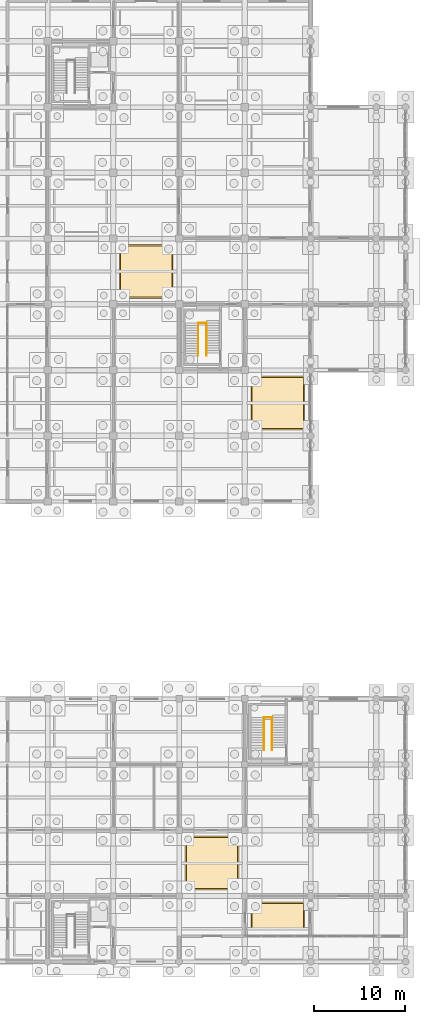
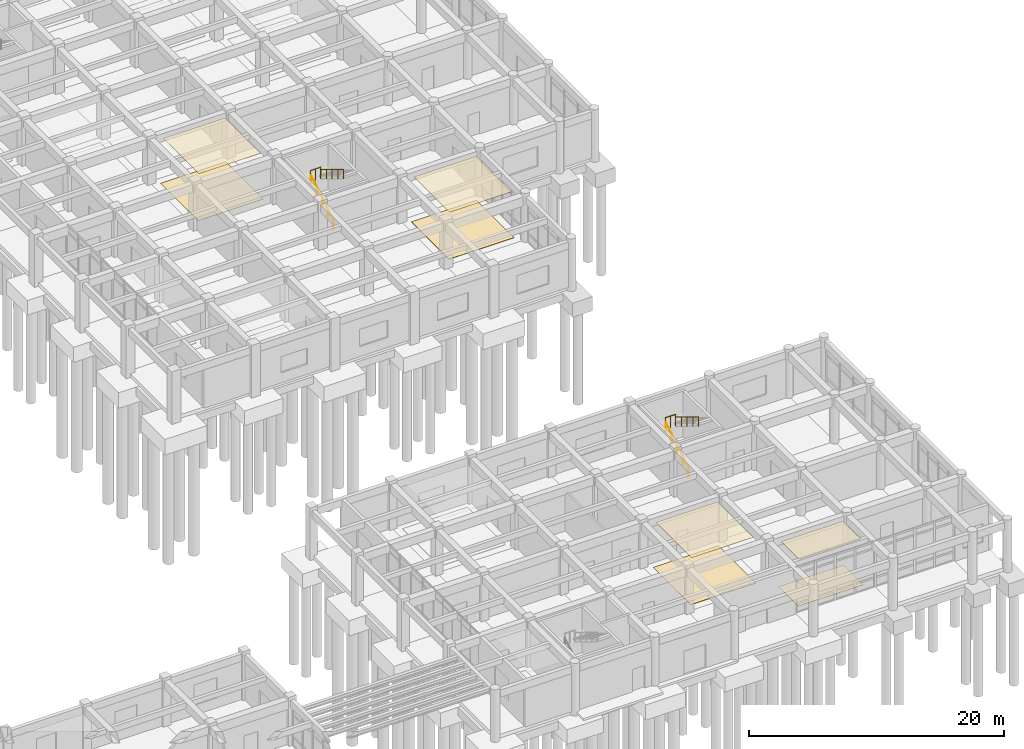
# One storey, part 77 of 79: 8 coverings, 6 railings.
"""IFC4 building model written with IfcOpenShell, lengths in metres."""

from ifc_helpers import new_model, si_unit, direction, frame, origin, origin_2d, place, context, subcontext, project, spatial, polyline, circle, outline, extrude, material, layer, layer_set, type_object, element, save


model = new_model("IFC4")

# Units and contexts
model_context = context("Model", 3, precision=1e-05, world=origin(), true_north=direction((0.0, 1.0)))
body_context = subcontext(model_context, "Body", "Model", "MODEL_VIEW")
ifc_project = project(units=[si_unit("LENGTHUNIT", "METRE"), si_unit("AREAUNIT", "SQUARE_METRE"), si_unit("VOLUMEUNIT", "CUBIC_METRE"), si_unit("PLANEANGLEUNIT", "RADIAN"), si_unit("MASSUNIT", "GRAM", prefix="KILO")], contexts=[model_context])

# Site, building, storey
site_placement = place(None, origin())
site = spatial("IfcSite", under=ifc_project, at=site_placement, CompositionType="ELEMENT")
building_placement = place(site_placement, origin())
building = spatial("IfcBuilding", under=site, at=building_placement, Name="Kavelor Marine Aquarium", CompositionType="ELEMENT")
storey_placement = place(building_placement, origin())
storey = spatial("IfcBuildingStorey", under=building, at=storey_placement, Name="L00", CompositionType="ELEMENT", Elevation=0.0)

# Coverings
ifc_material_1 = material(Name="Moisture-Resistant Acoustic Mineral-Fibre Ceiling")
ifc_layer_1 = layer(ifc_material_1, 0.0400390625)
ifc_layer_set_1 = layer_set([ifc_layer_1], Name="COV-CE1")
covering_type_1 = type_object("IfcCoveringType", Name="COV-CE1", PredefinedType="CEILING", material=ifc_layer_set_1)
covering_1_placement = place(storey_placement, frame((0.0, 0.0, 4.340087890625)))
element("IfcCovering", 1, at=covering_1_placement, inside=storey, type_object=covering_type_1, Name="ceil:L00:18_10", PredefinedType="CEILING", context=body_context, shape_type="SweptSolid", body=[
    extrude(outline(polyline([(133.60009765625, 75.60009765625), (139.199951171875, 75.60009765625), (139.199951171875, 81.199951171875), (133.60009765625, 81.199951171875), (133.60009765625, 75.60009765625)])), origin(), (0.0, 0.0, 1.0), 0.039794921875),
])
covering_2_placement = place(storey_placement, frame((0.0, 0.0, 4.340087890625)))
element("IfcCovering", 2, at=covering_2_placement, inside=storey, type_object=covering_type_1, Name="ceil:L00:19_01", PredefinedType="CEILING", context=body_context, shape_type="SweptSolid", body=[
    extrude(outline(polyline([(140.800048828125, 10.800048828125), (146.39990234375, 10.800048828125), (146.39990234375, 16.39990234375), (140.800048828125, 16.39990234375), (140.800048828125, 10.800048828125)])), origin(), (0.0, 0.0, 1.0), 0.039794921875),
])
covering_3_placement = place(storey_placement, frame((0.0, 0.0, 4.340087890625)))
element("IfcCovering", 3, at=covering_3_placement, inside=storey, type_object=covering_type_1, Name="ceil:L00:20_00", PredefinedType="CEILING", context=body_context, shape_type="SweptSolid", body=[
    extrude(outline(polyline([(148.0, 6.39990234375), (153.60009765625, 6.39990234375), (153.60009765625, 9.199951171875), (148.0, 9.199951171875), (148.0, 6.39990234375)])), origin(), (0.0, 0.0, 1.0), 0.039794921875),
])
covering_4_placement = place(storey_placement, frame((0.0, 0.0, 4.340087890625)))
element("IfcCovering", 4, at=covering_4_placement, inside=storey, type_object=covering_type_1, Name="ceil:L00:20_08", PredefinedType="CEILING", context=body_context, shape_type="SweptSolid", body=[
    extrude(outline(polyline([(148.0, 61.199951171875), (153.60009765625, 61.199951171875), (153.60009765625, 66.800048828125), (148.0, 66.800048828125), (148.0, 61.199951171875)])), origin(), (0.0, 0.0, 1.0), 0.039794921875),
])
ifc_material_2 = material(Name="Polished Coastal Terrazzo Flooring")
ifc_layer_2 = layer(ifc_material_2, 0.030029296875)
ifc_layer_set_2 = layer_set([ifc_layer_2], Name="COV-FL1")
covering_type_2 = type_object("IfcCoveringType", Name="COV-FL1", PredefinedType="FLOORING", material=ifc_layer_set_2)
covering_5_placement = place(storey_placement, origin())
element("IfcCovering", 5, at=covering_5_placement, inside=storey, type_object=covering_type_2, Name="flr:L00:18_10", PredefinedType="FLOORING", context=body_context, shape_type="SweptSolid", body=[
    extrude(outline(polyline([(133.449951171875, 75.449951171875), (139.35009765625, 75.449951171875), (139.35009765625, 81.35009765625), (133.449951171875, 81.35009765625), (133.449951171875, 75.449951171875)])), origin(), (0.0, 0.0, 1.0), 0.030029296875),
])
covering_6_placement = place(storey_placement, origin())
element("IfcCovering", 6, at=covering_6_placement, inside=storey, type_object=covering_type_2, Name="flr:L00:19_01", PredefinedType="FLOORING", context=body_context, shape_type="SweptSolid", body=[
    extrude(outline(polyline([(140.64990234375, 10.64990234375), (146.550048828125, 10.64990234375), (146.550048828125, 16.550048828125), (140.64990234375, 16.550048828125), (140.64990234375, 10.64990234375)])), origin(), (0.0, 0.0, 1.0), 0.030029296875),
])
covering_7_placement = place(storey_placement, origin())
element("IfcCovering", 7, at=covering_7_placement, inside=storey, type_object=covering_type_2, Name="flr:L00:20_00", PredefinedType="FLOORING", context=body_context, shape_type="SweptSolid", body=[
    extrude(outline(polyline([(147.85009765625, 6.25), (153.75, 6.25), (153.75, 9.35009765625), (147.85009765625, 9.35009765625), (147.85009765625, 6.25)])), origin(), (0.0, 0.0, 1.0), 0.030029296875),
])
covering_8_placement = place(storey_placement, origin())
element("IfcCovering", 8, at=covering_8_placement, inside=storey, type_object=covering_type_2, Name="flr:L00:20_08", PredefinedType="FLOORING", context=body_context, shape_type="SweptSolid", body=[
    extrude(outline(polyline([(147.85009765625, 61.050048828125), (153.75, 61.050048828125), (153.75, 66.949951171875), (147.85009765625, 66.949951171875), (147.85009765625, 61.050048828125)])), origin(), (0.0, 0.0, 1.0), 0.030029296875),
])

# Railings
ifc_material_3 = material(Name="Brushed Stainless Steel Wall and Flight Handrail", Category="steel")
railing_type_1 = type_object("IfcRailingType", Name="RL-HR1", PredefinedType="HANDRAIL", material=ifc_material_3)
railing_1_placement = place(storey_placement, frame((149.2900390625, 25.9599609375, 0.0)))
element("IfcRailing", 9, at=railing_1_placement, inside=storey, type_object=railing_type_1, Name="Stair Handrail ST09-1", PredefinedType="HANDRAIL", context=body_context, shape_type="SweptSolid", body=[
    extrude(circle(Radius=0.02001953125, at=origin_2d()), frame((0.0, 0.0, 0.8798828125), z_axis=(0.0, 0.854538701388, 0.519387723988), x_axis=(-1.0, 0.0, 0.0)), (0.0, 0.0, 1.0), 4.18359375),
    extrude(circle(Radius=0.01806640625, at=origin_2d()), origin(), (0.0, 0.0, 1.0), 0.85986328125),
    extrude(circle(Radius=0.01806640625, at=origin_2d()), frame((0.0, 0.893798828125, 0.543212890625)), (0.0, 0.0, 1.0), 0.85986328125),
    extrude(circle(Radius=0.01806640625, at=origin_2d()), frame((0.0, 1.78759765625, 1.08642578125)), (0.0, 0.0, 1.0), 0.85986328125),
    extrude(circle(Radius=0.01806640625, at=origin_2d()), frame((0.0, 2.68115234375, 1.629638671875)), (0.0, 0.0, 1.0), 0.85986328125),
    extrude(circle(Radius=0.01806640625, at=origin_2d()), frame((0.0, 3.574951171875, 2.1728515625)), (0.0, 0.0, 1.0), 0.85986328125),
])
railing_2_placement = place(storey_placement, frame((150.18994140625, 29.534912109375, 2.340087890625)))
element("IfcRailing", 10, at=railing_2_placement, inside=storey, type_object=railing_type_1, Name="Stair Handrail ST09-2", PredefinedType="HANDRAIL", context=body_context, shape_type="SweptSolid", body=[
    extrude(circle(Radius=0.02001953125, at=origin_2d()), frame((0.0, 0.0, 0.8798828125), z_axis=(0.0, -0.854538701388, 0.519387723988), x_axis=(1.0, 0.0, 0.0)), (0.0, 0.0, 1.0), 4.18359375),
    extrude(circle(Radius=0.01806640625, at=origin_2d()), origin(), (0.0, 0.0, 1.0), 0.85986328125),
    extrude(circle(Radius=0.01806640625, at=origin_2d()), frame((0.0, -0.893798828125, 0.543212890625)), (0.0, 0.0, 1.0), 0.85986328125),
    extrude(circle(Radius=0.01806640625, at=origin_2d()), frame((0.0, -1.78759765625, 1.08642578125)), (0.0, 0.0, 1.0), 0.85986328125),
    extrude(circle(Radius=0.01806640625, at=origin_2d()), frame((0.0, -2.68115234375, 1.629638671875)), (0.0, 0.0, 1.0), 0.85986328125),
    extrude(circle(Radius=0.01806640625, at=origin_2d()), frame((0.0, -3.574951171875, 2.1728515625)), (0.0, 0.0, 1.0), 0.85986328125),
])
railing_3_placement = place(storey_placement, frame((142.090087890625, 69.159912109375, 0.0)))
element("IfcRailing", 11, at=railing_3_placement, inside=storey, type_object=railing_type_1, Name="Stair Handrail ST11-1", PredefinedType="HANDRAIL", context=body_context, shape_type="SweptSolid", body=[
    extrude(circle(Radius=0.02001953125, at=origin_2d()), frame((0.0, 0.0, 0.8798828125), z_axis=(0.0, 0.854554443122, 0.519361823531), x_axis=(-1.0, 0.0, 0.0)), (0.0, 0.0, 1.0), 4.18359375),
    extrude(circle(Radius=0.01806640625, at=origin_2d()), origin(), (0.0, 0.0, 1.0), 0.85986328125),
    extrude(circle(Radius=0.01806640625, at=origin_2d()), frame((0.0, 0.893798828125, 0.543212890625)), (0.0, 0.0, 1.0), 0.85986328125),
    extrude(circle(Radius=0.01806640625, at=origin_2d()), frame((0.0, 1.78759765625, 1.08642578125)), (0.0, 0.0, 1.0), 0.85986328125),
    extrude(circle(Radius=0.01806640625, at=origin_2d()), frame((0.0, 2.681396484375, 1.629638671875)), (0.0, 0.0, 1.0), 0.85986328125),
    extrude(circle(Radius=0.01806640625, at=origin_2d()), frame((0.0, 3.5751953125, 2.1728515625)), (0.0, 0.0, 1.0), 0.85986328125),
])
railing_4_placement = place(storey_placement, frame((142.989990234375, 72.735107421875, 2.340087890625)))
element("IfcRailing", 12, at=railing_4_placement, inside=storey, type_object=railing_type_1, Name="Stair Handrail ST11-2", PredefinedType="HANDRAIL", context=body_context, shape_type="SweptSolid", body=[
    extrude(circle(Radius=0.02001953125, at=origin_2d()), frame((0.0, 0.0, 0.8798828125), z_axis=(0.0, -0.854554443122, 0.519361823531), x_axis=(1.0, 0.0, 0.0)), (0.0, 0.0, 1.0), 4.18359375),
    extrude(circle(Radius=0.01806640625, at=origin_2d()), origin(), (0.0, 0.0, 1.0), 0.85986328125),
    extrude(circle(Radius=0.01806640625, at=origin_2d()), frame((0.0, -0.893798828125, 0.543212890625)), (0.0, 0.0, 1.0), 0.85986328125),
    extrude(circle(Radius=0.01806640625, at=origin_2d()), frame((0.0, -1.78759765625, 1.08642578125)), (0.0, 0.0, 1.0), 0.85986328125),
    extrude(circle(Radius=0.01806640625, at=origin_2d()), frame((0.0, -2.681396484375, 1.629638671875)), (0.0, 0.0, 1.0), 0.85986328125),
    extrude(circle(Radius=0.01806640625, at=origin_2d()), frame((0.0, -3.5751953125, 2.1728515625)), (0.0, 0.0, 1.0), 0.85986328125),
])
ifc_material_4 = material(Name="Brushed Stainless Steel Stair Guardrail", Category="steel")
railing_type_2 = type_object("IfcRailingType", Name="RL-SG1", PredefinedType="GUARDRAIL", material=ifc_material_4)
for number, where, name in (
    (13, (149.2900390625, 29.56494140625, 2.340087890625), "Landing Guardrail ST09-M"),
    (14, (142.090087890625, 72.764892578125, 2.340087890625), "Landing Guardrail ST11-M"),
):
    element("IfcRailing", number, at=place(storey_placement, frame(where)), inside=storey, type_object=railing_type_2, Name=name, PredefinedType="GUARDRAIL", context=body_context, shape_type="SweptSolid", body=[
        extrude(circle(Radius=0.0224609375, at=origin_2d()), frame((0.0, 0.0, 1.09765625), z_axis=(1.0, 0.0, 0.0), x_axis=(0.0, 1.0, 0.0)), (0.0, 0.0, 1.0), 0.89990234375),
        extrude(circle(Radius=0.02099609375, at=origin_2d()), origin(), (0.0, 0.0, 1.0), 1.0751953125),
        extrude(circle(Radius=0.02099609375, at=origin_2d()), frame((0.449951171875, 0.0, 0.0)), (0.0, 0.0, 1.0), 1.0751953125),
        extrude(circle(Radius=0.02099609375, at=origin_2d()), frame((0.89990234375, 0.0, 0.0)), (0.0, 0.0, 1.0), 1.0751953125),
    ])

save(model, "model.ifc")
